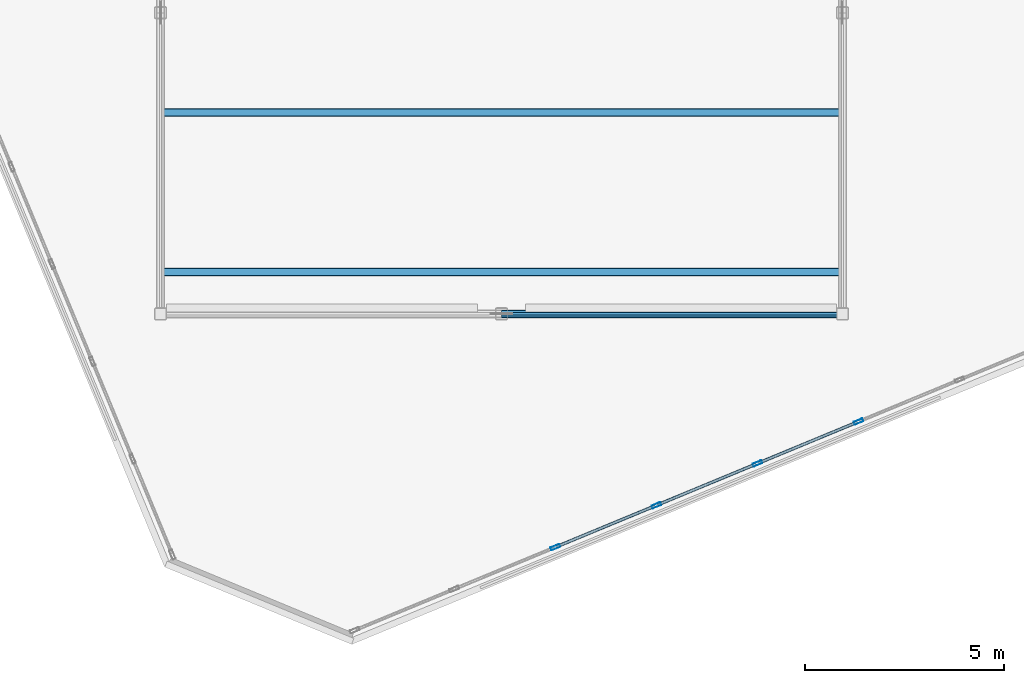
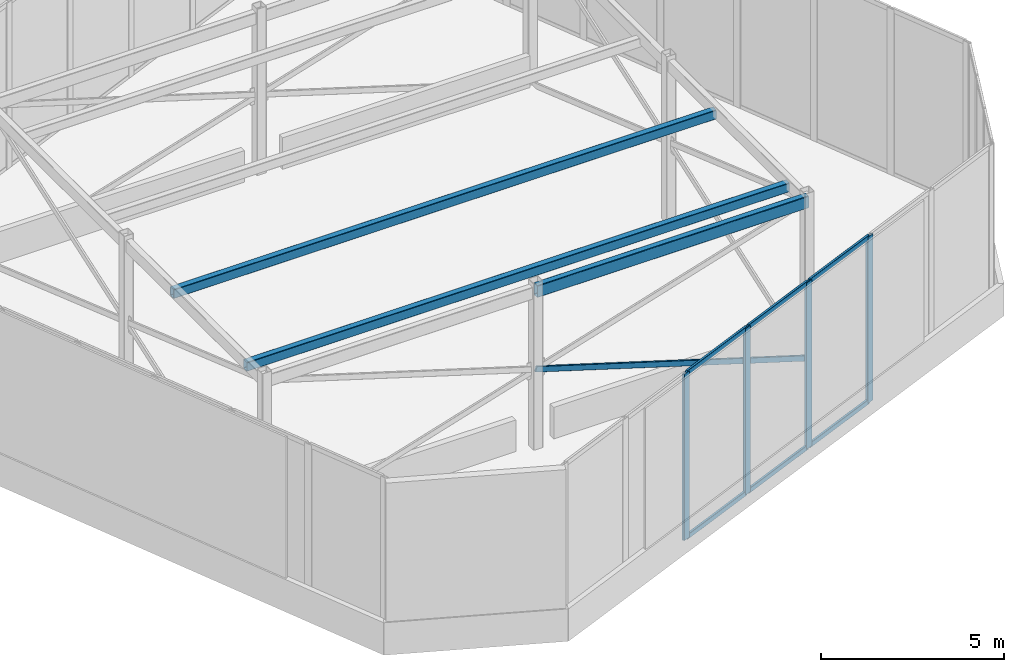
# One storey, part 5 of 12: 14 members, 1 element without a shape of its own.
"""IFC4 building model written with IfcOpenShell, lengths in metres."""

from ifc_helpers import new_model, si_unit, direction, frame, origin, origin_2d, place, context, subcontext, project, spatial, hollow_rectangle, extrude, source, transform, mapped, material, material_profile, profile_set, type_object, element, aggregate, save


model = new_model("IFC4")

# Units and contexts
model_context = context("Model", 3, precision=1e-05, world=origin(), true_north=direction((0.0, 1.0)))
body_context = subcontext(model_context, "Body", "Model", "MODEL_VIEW")
ifc_project = project(units=[si_unit("LENGTHUNIT", "METRE"), si_unit("AREAUNIT", "SQUARE_METRE"), si_unit("VOLUMEUNIT", "CUBIC_METRE"), si_unit("PLANEANGLEUNIT", "RADIAN"), si_unit("MASSUNIT", "GRAM", prefix="KILO")], contexts=[model_context])

# Site, building, storey
site_placement = place(None, origin())
site = spatial("IfcSite", under=ifc_project, at=site_placement, CompositionType="ELEMENT")
building_placement = place(site_placement, origin())
building = spatial("IfcBuilding", under=site, at=building_placement, Name="Torre Montelarca", CompositionType="ELEMENT")
storey_placement = place(building_placement, frame((0.0, 0.0, 370.60009765625)))
storey = spatial("IfcBuildingStorey", under=building, at=storey_placement, Name="RF", CompositionType="ELEMENT", Elevation=370.60009765625)

# Members
ifc_material_1 = material(Name="Steel ASTM A500 Grade C", Category="steel")
ifc_material_profile_1 = material_profile(ifc_material_1, hollow_rectangle(XDim=0.203125, YDim=0.406494140625, WallThickness=0.015869140625, InnerFilletRadius=0.015869140625, OuterFilletRadius=0.03173828125, at=origin_2d()), Name="HSS406X203X15.9", Category="steel")
ifc_profile_set_1 = profile_set([ifc_material_profile_1], Name="Steel ASTM A500 Grade C")
member_type_1 = type_object("IfcMemberType", Name="MB-CF-HSS406-EXT", PredefinedType="USERDEFINED", material=ifc_profile_set_1)
shared_shape_1 = source(origin(), body_context, "Body", "SweptSolid", [
    extrude(hollow_rectangle(XDim=0.203125, YDim=0.406494140625, WallThickness=0.015869140625, InnerFilletRadius=0.015869140625, OuterFilletRadius=0.03173828125, at=origin_2d()), origin(), (0.0, 0.0, 1.0), 8.550048828125),
])
member_1_placement = place(storey_placement, frame((18.0, 24.449951171875, 5.199951171875), z_axis=(1.0, 0.0, 0.0), x_axis=(0.0, 1.0, 0.0)))
element("IfcMember", 1, at=member_1_placement, inside=storey, type_object=member_type_1, Name="RF Crown Frame Ring Beam 02", ObjectType="CROWN FRAME", PredefinedType="USERDEFINED", context=body_context, shape_type="MappedRepresentation", body=[
    mapped(shared_shape_1, transform((0.0, 0.0, 0.0), scale=1.0)),
])
ifc_material_profile_2 = material_profile(ifc_material_1, hollow_rectangle(XDim=0.203125, YDim=0.3046875, WallThickness=0.0126953125, InnerFilletRadius=0.0126953125, OuterFilletRadius=0.025390625, at=origin_2d()), Name="HSS305X203X12.7", Category="steel")
ifc_profile_set_2 = profile_set([ifc_material_profile_2], Name="Steel ASTM A500 Grade C")
member_type_2 = type_object("IfcMemberType", Name="MB-PU-HSS305-EXT", PredefinedType="PURLIN", material=ifc_profile_set_2)
shared_shape_2 = source(origin(), body_context, "Body", "SweptSolid", [
    extrude(hollow_rectangle(XDim=0.203125, YDim=0.3046875, WallThickness=0.0126953125, InnerFilletRadius=0.0126953125, OuterFilletRadius=0.025390625, at=origin_2d()), origin(), (0.0, 0.0, 1.0), 17.10009765625),
])
for number, where, z_axis, x_axis, name in (
    (2, (9.449951171875, 25.5, 5.0498046875), (1.0, 0.0, 0.0), (0.0, 1.0, 0.0), "RF Crown Canopy Purlin 01"),
    (3, (9.449951171875, 29.5, 5.0498046875), (1.0, 0.0, 0.0), (0.0, 1.0, 0.0), "RF Crown Canopy Purlin 02"),
):
    element("IfcMember", number, at=place(storey_placement, frame(where, z_axis=z_axis, x_axis=x_axis)), inside=storey, type_object=member_type_2, Name=name, PredefinedType="PURLIN", context=body_context, shape_type="MappedRepresentation", body=[
        mapped(shared_shape_2, transform((0.0, 0.0, 0.0), scale=1.0)),
    ])

# Curtain wall, members
ifc_material_2 = material(Name="Amber translucent laminated glass", Category="glass")
curtain_wall_type = type_object("IfcCurtainWallType", Name="CW-SYS-LANT", PredefinedType="USERDEFINED", material=ifc_material_2)
curtain_wall_placement = place(storey_placement, origin())
curtain_wall = element("IfcCurtainWall", 4, at=curtain_wall_placement, inside=storey, type_object=curtain_wall_type, Name="RF Crown Translucent Amber Lantern Curtain Wall 03-1", ObjectType="TRANSLUCENT LANTERN", PredefinedType="USERDEFINED")
ifc_material_3 = material(Name="Anodised aluminium AA 6063-T6", Category="aluminium")
ifc_material_profile_3 = material_profile(ifc_material_3, hollow_rectangle(XDim=0.080078125, YDim=0.239990234375, WallThickness=0.0048828125, InnerFilletRadius=0.0048828125, OuterFilletRadius=0.010009765625, at=origin_2d()), Name="ALU80X240X5", Category="aluminium")
ifc_profile_set_3 = profile_set([ifc_material_profile_3], Name="Anodised aluminium AA 6063-T6")
member_type_3 = type_object("IfcMemberType", Name="CWM-ALU240", PredefinedType="MULLION", material=ifc_profile_set_3)
shared_shape_3 = source(origin(), body_context, "Body", "SweptSolid", [
    extrude(hollow_rectangle(XDim=0.080078125, YDim=0.239990234375, WallThickness=0.0048828125, InnerFilletRadius=0.0048828125, OuterFilletRadius=0.010009765625, at=origin_2d()), origin(), (0.0, 0.0, 1.0), 5.539794921875),
])
member_2_placement = place(storey_placement, frame((19.35107421875, 18.597412109375, 0.0), z_axis=(0.0, 0.0, 1.0), x_axis=(-0.382686665357, 0.923878193356, 0.0)))
member_2 = element("IfcMember", 5, at=member_2_placement, type_object=member_type_3, Name="CW mullion 3", PredefinedType="MULLION", context=body_context, shape_type="MappedRepresentation", body=[
    mapped(shared_shape_3, transform((0.0, 0.0, 0.0), scale=1.0)),
])
member_3_placement = place(storey_placement, frame((21.885009765625, 19.64697265625, 0.0), z_axis=(0.0, 0.0, 1.0), x_axis=(-0.382686665357, 0.923878193356, 0.0)))
member_3 = element("IfcMember", 6, at=member_3_placement, type_object=member_type_3, Name="CW mullion 4", PredefinedType="MULLION", context=body_context, shape_type="MappedRepresentation", body=[
    mapped(shared_shape_3, transform((0.0, 0.0, 0.0), scale=1.0)),
])
member_4_placement = place(storey_placement, frame((24.419189453125, 20.69677734375, 0.0), z_axis=(0.0, 0.0, 1.0), x_axis=(-0.382686665357, 0.923878193356, 0.0)))
member_4 = element("IfcMember", 7, at=member_4_placement, type_object=member_type_3, Name="CW mullion 5", PredefinedType="MULLION", context=body_context, shape_type="MappedRepresentation", body=[
    mapped(shared_shape_3, transform((0.0, 0.0, 0.0), scale=1.0)),
])
member_5_placement = place(storey_placement, frame((26.953369140625, 21.746337890625, 0.0), z_axis=(0.0, 0.0, 1.0), x_axis=(-0.382686665357, 0.923878193356, 0.0)))
member_5 = element("IfcMember", 8, at=member_5_placement, type_object=member_type_3, Name="CW mullion 6", PredefinedType="MULLION", context=body_context, shape_type="MappedRepresentation", body=[
    mapped(shared_shape_3, transform((0.0, 0.0, 0.0), scale=1.0)),
])
ifc_material_profile_4 = material_profile(ifc_material_3, hollow_rectangle(XDim=0.074951171875, YDim=0.159912109375, WallThickness=0.0048828125, InnerFilletRadius=0.0048828125, OuterFilletRadius=0.010009765625, at=origin_2d()), Name="ALU75X160X5", Category="aluminium")
ifc_profile_set_4 = profile_set([ifc_material_profile_4], Name="Anodised aluminium AA 6063-T6")
member_type_4 = type_object("IfcMemberType", Name="CWT-ALU160", PredefinedType="USERDEFINED", material=ifc_profile_set_4)
shared_shape_4 = source(origin(), body_context, "Body", "SweptSolid", [
    extrude(hollow_rectangle(XDim=0.074951171875, YDim=0.159912109375, WallThickness=0.0048828125, InnerFilletRadius=0.0048828125, OuterFilletRadius=0.010009765625, at=origin_2d()), origin(), (0.0, 0.0, 1.0), 2.662841796875),
])
member_6_placement = place(storey_placement, frame((19.387939453125, 18.61279296875, 0.037353515625), z_axis=(0.923880507149, 0.382681079373, 0.0), x_axis=(-0.382681079373, 0.923880507149, 0.0)))
member_6 = element("IfcMember", 9, at=member_6_placement, type_object=member_type_4, Name="CW transom 3.1", ObjectType="TRANSOM", PredefinedType="USERDEFINED", context=body_context, shape_type="MappedRepresentation", body=[
    mapped(shared_shape_4, transform((0.0, 0.0, 0.0), scale=1.0)),
])
member_7_placement = place(storey_placement, frame((19.387939453125, 18.61279296875, 5.50244140625), z_axis=(0.923880507149, 0.382681079373, 0.0), x_axis=(-0.382681079373, 0.923880507149, 0.0)))
member_7 = element("IfcMember", 10, at=member_7_placement, type_object=member_type_4, Name="CW transom 3.2", ObjectType="TRANSOM", PredefinedType="USERDEFINED", context=body_context, shape_type="MappedRepresentation", body=[
    mapped(shared_shape_4, transform((0.0, 0.0, 0.0), scale=1.0)),
])
member_8_placement = place(storey_placement, frame((21.922119140625, 19.662353515625, 0.037353515625), z_axis=(0.923880507149, 0.382681079373, 0.0), x_axis=(-0.382681079373, 0.923880507149, 0.0)))
member_8 = element("IfcMember", 11, at=member_8_placement, type_object=member_type_4, Name="CW transom 4.1", ObjectType="TRANSOM", PredefinedType="USERDEFINED", context=body_context, shape_type="MappedRepresentation", body=[
    mapped(shared_shape_4, transform((0.0, 0.0, 0.0), scale=1.0)),
])
member_9_placement = place(storey_placement, frame((21.922119140625, 19.662353515625, 5.50244140625), z_axis=(0.923880507149, 0.382681079373, 0.0), x_axis=(-0.382681079373, 0.923880507149, 0.0)))
member_9 = element("IfcMember", 12, at=member_9_placement, type_object=member_type_4, Name="CW transom 4.2", ObjectType="TRANSOM", PredefinedType="USERDEFINED", context=body_context, shape_type="MappedRepresentation", body=[
    mapped(shared_shape_4, transform((0.0, 0.0, 0.0), scale=1.0)),
])
member_10_placement = place(storey_placement, frame((24.4560546875, 20.7119140625, 0.037353515625), z_axis=(0.923880507149, 0.382681079373, 0.0), x_axis=(-0.382681079373, 0.923880507149, 0.0)))
member_10 = element("IfcMember", 13, at=member_10_placement, type_object=member_type_4, Name="CW transom 5.1", ObjectType="TRANSOM", PredefinedType="USERDEFINED", context=body_context, shape_type="MappedRepresentation", body=[
    mapped(shared_shape_4, transform((0.0, 0.0, 0.0), scale=1.0)),
])
member_11_placement = place(storey_placement, frame((24.4560546875, 20.7119140625, 5.50244140625), z_axis=(0.923880507149, 0.382681079373, 0.0), x_axis=(-0.382681079373, 0.923880507149, 0.0)))
member_11 = element("IfcMember", 14, at=member_11_placement, type_object=member_type_4, Name="CW transom 5.2", ObjectType="TRANSOM", PredefinedType="USERDEFINED", context=body_context, shape_type="MappedRepresentation", body=[
    mapped(shared_shape_4, transform((0.0, 0.0, 0.0), scale=1.0)),
])
aggregate(curtain_wall, [member_2, member_3, member_4, member_5, member_6, member_7, member_8, member_9, member_10, member_11])

# Member
ifc_material_4 = material(Name="Architectural perforated terracotta ceramic on aluminium AA 6063-T6", Category="masonry")
ifc_material_profile_5 = material_profile(ifc_material_4, hollow_rectangle(XDim=0.06494140625, YDim=0.179931640625, WallThickness=0.00390625, InnerFilletRadius=0.00390625, OuterFilletRadius=0.008056640625, at=origin_2d()), Name="ALU65X180X4", Category="masonry")
ifc_profile_set_5 = profile_set([ifc_material_profile_5], Name="Architectural perforated terracotta ceramic on aluminium AA 6063-T6")
member_type_5 = type_object("IfcMemberType", Name="SCR-DIAG-RIB", PredefinedType="USERDEFINED", material=ifc_profile_set_5)
shared_shape_5 = source(origin(), body_context, "Body", "SweptSolid", [
    extrude(hollow_rectangle(XDim=0.06494140625, YDim=0.179931640625, WallThickness=0.00390625, InnerFilletRadius=0.00390625, OuterFilletRadius=0.008056640625, at=origin_2d()), origin(), (0.0, 0.0, 1.0), 8.94384765625),
])
member_12_placement = place(storey_placement, frame((26.550048828125, 24.449951171875, -0.050048828125), z_axis=(-0.955960607945, 0.0, 0.29349500176), x_axis=(0.0, -1.0, 0.0)))
element("IfcMember", 15, at=member_12_placement, inside=storey, type_object=member_type_5, Name="RF Crown Split Diagonal Brace Lower SB1", ObjectType="SOLAR SCREEN", PredefinedType="USERDEFINED", context=body_context, shape_type="MappedRepresentation", body=[
    mapped(shared_shape_5, transform((0.0, 0.0, 0.0), scale=1.0)),
])

save(model, "model.ifc")
